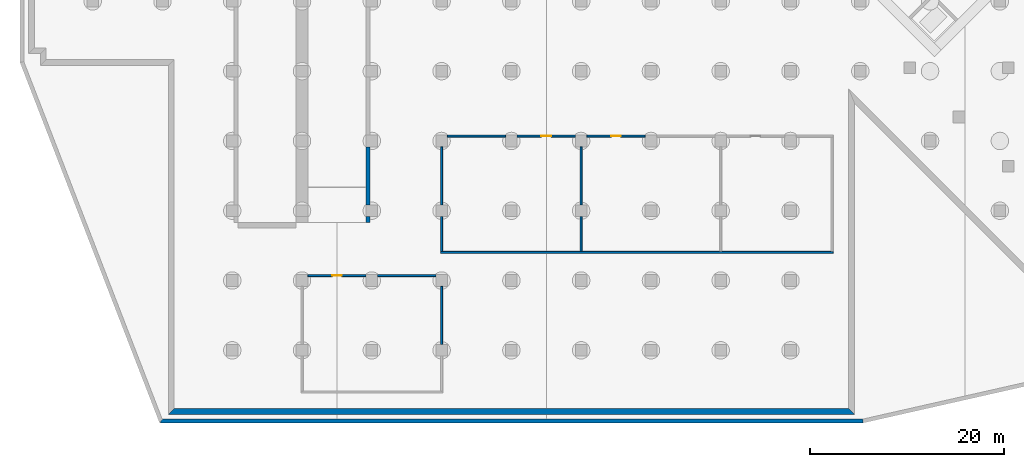
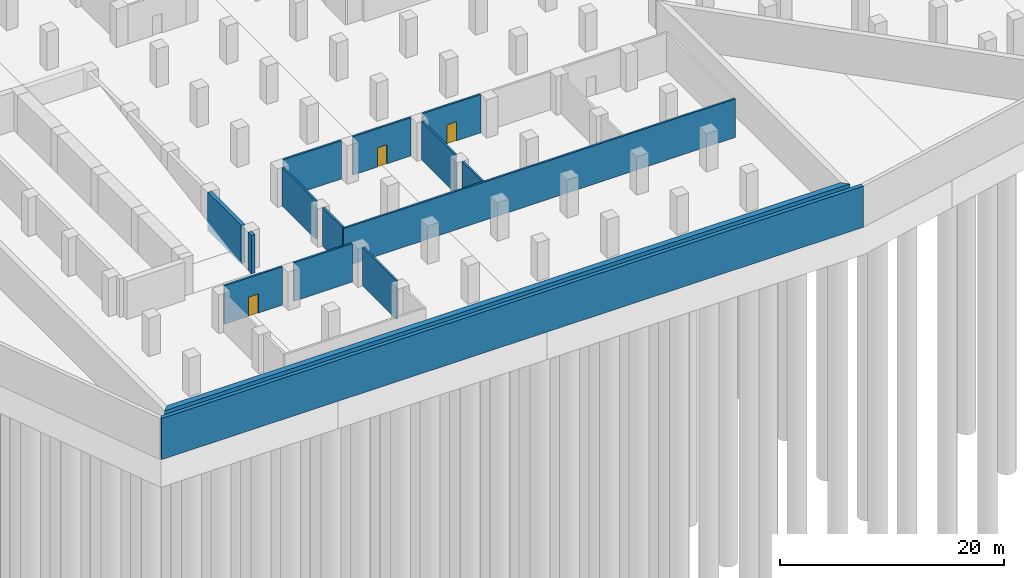
# One storey, part 3 of 12: 15 walls, 3 doors, 3 openings.
"""IFC4 building model written with IfcOpenShell, lengths in metres."""

from ifc_helpers import new_model, si_unit, direction, frame, frame_2d, origin, place, context, subcontext, project, spatial, polyline, rectangle, outline, extrude, material, layer, layer_set, type_object, element, fill, save


model = new_model("IFC4")

# Units and contexts
model_context = context("Model", 3, precision=1e-05, world=origin(), true_north=direction((0.0, 1.0)))
body_context = subcontext(model_context, "Body", "Model", "MODEL_VIEW")
ifc_project = project(units=[si_unit("LENGTHUNIT", "METRE"), si_unit("AREAUNIT", "SQUARE_METRE"), si_unit("VOLUMEUNIT", "CUBIC_METRE"), si_unit("PLANEANGLEUNIT", "RADIAN"), si_unit("MASSUNIT", "GRAM", prefix="KILO")], contexts=[model_context])

# Site, building, storey
site_placement = place(None, origin())
site = spatial("IfcSite", under=ifc_project, at=site_placement, CompositionType="ELEMENT")
building_placement = place(site_placement, origin())
building = spatial("IfcBuilding", under=site, at=building_placement, Name="Windrow Commons", CompositionType="ELEMENT")
storey_placement = place(building_placement, frame((0.0, 0.0, -9.0)))
storey = spatial("IfcBuildingStorey", under=building, at=storey_placement, Name="B2", CompositionType="ELEMENT", Elevation=-9.0)

# Walls
ifc_material_1 = material(Name="Blockwork partition", Category="masonry")
ifc_layer_1 = layer(ifc_material_1, 0.2)
ifc_layer_set_1 = layer_set([ifc_layer_1], Name="CP-PART-200")
wall_type_1 = type_object("IfcWallType", Name="CP-PART-200", PredefinedType="PARTITIONING", material=ifc_layer_set_1)
wall_1_placement = place(storey_placement, frame((36.0, 7.8, 0.0), z_axis=(0.0, 0.0, 1.0), x_axis=(0.0, 1.0, 0.0)))
element("IfcWall", 1, at=wall_1_placement, inside=storey, type_object=wall_type_1, Name="Plant room wall 04", PredefinedType="PARTITIONING", context=body_context, shape_type="SweptSolid", body=[
    extrude(rectangle(XDim=6.0, YDim=0.2, at=frame_2d((3.0, 0.0))), origin(), (0.0, 0.0, 1.0), 4.2),
])
wall_2_placement = place(storey_placement, frame((36.0, 17.4, 0.0), z_axis=(0.0, 0.0, 1.0), x_axis=(0.0, 1.0, 0.0)))
element("IfcWall", 2, at=wall_2_placement, inside=storey, type_object=wall_type_1, Name="Plant room wall 05", PredefinedType="PARTITIONING", context=body_context, shape_type="SweptSolid", body=[
    extrude(rectangle(XDim=3.6, YDim=0.2, at=frame_2d((1.8, 0.0))), origin(), (0.0, 0.0, 1.0), 4.2),
])
wall_3_placement = place(storey_placement, frame((36.0, 22.2, 0.0), z_axis=(0.0, 0.0, 1.0), x_axis=(0.0, 1.0, 0.0)))
element("IfcWall", 3, at=wall_3_placement, inside=storey, type_object=wall_type_1, Name="Plant room wall 06", PredefinedType="PARTITIONING", context=body_context, shape_type="SweptSolid", body=[
    extrude(rectangle(XDim=6.0, YDim=0.2, at=frame_2d((3.0, 0.0))), origin(), (0.0, 0.0, 1.0), 4.2),
])
wall_4_placement = place(storey_placement, frame((50.4, 17.4, 0.0), z_axis=(0.0, 0.0, 1.0), x_axis=(0.0, 1.0, 0.0)))
element("IfcWall", 4, at=wall_4_placement, inside=storey, type_object=wall_type_1, Name="Plant room wall 10", PredefinedType="PARTITIONING", context=body_context, shape_type="SweptSolid", body=[
    extrude(rectangle(XDim=3.6, YDim=0.2, at=frame_2d((1.8, 0.0))), origin(), (0.0, 0.0, 1.0), 4.2),
])
wall_5_placement = place(storey_placement, frame((50.4, 22.2, 0.0), z_axis=(0.0, 0.0, 1.0), x_axis=(0.0, 1.0, 0.0)))
element("IfcWall", 5, at=wall_5_placement, inside=storey, type_object=wall_type_1, Name="Plant room wall 11", PredefinedType="PARTITIONING", context=body_context, shape_type="SweptSolid", body=[
    extrude(rectangle(XDim=6.0, YDim=0.2, at=frame_2d((3.0, 0.0))), origin(), (0.0, 0.0, 1.0), 4.2),
])

# Wall, opening, door
wall_6_placement = place(storey_placement, frame((22.2, 14.9, 0.0), z_axis=(0.0, 0.0, 1.0), x_axis=(1.0, 0.0, 0.0)))
wall_6 = element("IfcWall", 6, at=wall_6_placement, inside=storey, type_object=wall_type_1, Name="Plant room wall 17", PredefinedType="PARTITIONING", context=body_context, shape_type="SweptSolid", body=[
    extrude(rectangle(XDim=6.0, YDim=0.2, at=frame_2d((3.0, 0.0))), origin(), (0.0, 0.0, 1.0), 4.2),
])
opening_1_placement = place(wall_6_placement, frame((2.5, 0.0, 0.0)))
opening_1 = element("IfcOpeningElement", 7, at=opening_1_placement, cuts=wall_6, Name="Opening B2-D51", PredefinedType="OPENING", context=body_context, shape_type="SweptSolid", body=[
    extrude(rectangle(XDim=1.0, YDim=2.1, at=frame_2d((0.5, 1.05))), frame((0.0, 0.11, 0.0), z_axis=(0.0, -1.0, 0.0), x_axis=(1.0, 0.0, 0.0)), (0.0, 0.0, 1.0), 0.22),
])
ifc_material_2 = material(Name="Steel fire door leaf", Category="steel")
door_type = type_object("IfcDoorType", Name="CP-DOOR-1000", OperationType="SINGLE_SWING_LEFT", PredefinedType="DOOR", material=ifc_material_2)
door_1_placement = place(opening_1_placement, origin())
door_1 = element("IfcDoor", 8, at=door_1_placement, inside=storey, type_object=door_type, Name="D-B2-PLANT-01", OperationType="SINGLE_SWING_RIGHT", OverallHeight=2.1, OverallWidth=1.0, PredefinedType="DOOR", context=body_context, shape_type="SweptSolid", body=[
    extrude(rectangle(XDim=1.0, YDim=2.1, at=frame_2d((0.5, 1.05))), frame((0.0, 0.025, 0.0), z_axis=(0.0, -1.0, 0.0), x_axis=(1.0, 0.0, 0.0)), (0.0, 0.0, 1.0), 0.05),
])
fill(opening_1, door_1)

# Walls
wall_7_placement = place(storey_placement, frame((29.4, 14.9, 0.0), z_axis=(0.0, 0.0, 1.0), x_axis=(1.0, 0.0, 0.0)))
element("IfcWall", 9, at=wall_7_placement, inside=storey, type_object=wall_type_1, Name="Plant room wall 18", PredefinedType="PARTITIONING", context=body_context, shape_type="SweptSolid", body=[
    extrude(rectangle(XDim=6.0, YDim=0.2, at=frame_2d((3.0, 0.0))), origin(), (0.0, 0.0, 1.0), 4.2),
])
wall_8_placement = place(storey_placement, frame((35.9, 17.3, 0.0), z_axis=(0.0, 0.0, 1.0), x_axis=(1.0, 0.0, 0.0)))
element("IfcWall", 10, at=wall_8_placement, inside=storey, type_object=wall_type_1, Name="Plant room wall 19", PredefinedType="PARTITIONING", context=body_context, shape_type="SweptSolid", body=[
    extrude(rectangle(XDim=40.5, YDim=0.2, at=frame_2d((20.25, 0.0))), origin(), (0.0, 0.0, 1.0), 4.2),
])
wall_9_placement = place(storey_placement, frame((36.6, 29.3, 0.0), z_axis=(0.0, 0.0, 1.0), x_axis=(1.0, 0.0, 0.0)))
element("IfcWall", 11, at=wall_9_placement, inside=storey, type_object=wall_type_1, Name="Plant room wall 20", PredefinedType="PARTITIONING", context=body_context, shape_type="SweptSolid", body=[
    extrude(rectangle(XDim=6.0, YDim=0.2, at=frame_2d((3.0, 0.0))), origin(), (0.0, 0.0, 1.0), 4.2),
])

# Wall, opening, door
wall_10_placement = place(storey_placement, frame((43.8, 29.3, 0.0), z_axis=(0.0, 0.0, 1.0), x_axis=(1.0, 0.0, 0.0)))
wall_10 = element("IfcWall", 12, at=wall_10_placement, inside=storey, type_object=wall_type_1, Name="Plant room wall 21", PredefinedType="PARTITIONING", context=body_context, shape_type="SweptSolid", body=[
    extrude(rectangle(XDim=6.0, YDim=0.2, at=frame_2d((3.0, 0.0))), origin(), (0.0, 0.0, 1.0), 4.2),
])
opening_2_placement = place(wall_10_placement, frame((2.5, 0.0, 0.0)))
opening_2 = element("IfcOpeningElement", 13, at=opening_2_placement, cuts=wall_10, Name="Opening B2-D52", PredefinedType="OPENING", context=body_context, shape_type="SweptSolid", body=[
    extrude(rectangle(XDim=1.0, YDim=2.1, at=frame_2d((0.5, 1.05))), frame((0.0, 0.11, 0.0), z_axis=(0.0, -1.0, 0.0), x_axis=(1.0, 0.0, 0.0)), (0.0, 0.0, 1.0), 0.22),
])
door_2_placement = place(opening_2_placement, origin())
door_2 = element("IfcDoor", 14, at=door_2_placement, inside=storey, type_object=door_type, Name="D-B2-PLANT-02", OperationType="SINGLE_SWING_LEFT", OverallHeight=2.1, OverallWidth=1.0, PredefinedType="DOOR", context=body_context, shape_type="SweptSolid", body=[
    extrude(rectangle(XDim=1.0, YDim=2.1, at=frame_2d((0.5, 1.05))), frame((0.0, 0.025, 0.0), z_axis=(0.0, -1.0, 0.0), x_axis=(1.0, 0.0, 0.0)), (0.0, 0.0, 1.0), 0.05),
])
fill(opening_2, door_2)

wall_11_placement = place(storey_placement, frame((51.0, 29.3, 0.0), z_axis=(0.0, 0.0, 1.0), x_axis=(1.0, 0.0, 0.0)))
wall_11 = element("IfcWall", 15, at=wall_11_placement, inside=storey, type_object=wall_type_1, Name="Plant room wall 22", PredefinedType="PARTITIONING", context=body_context, shape_type="SweptSolid", body=[
    extrude(rectangle(XDim=6.0, YDim=0.2, at=frame_2d((3.0, 0.0))), origin(), (0.0, 0.0, 1.0), 4.2),
])
opening_3_placement = place(wall_11_placement, frame((2.5, 0.0, 0.0)))
opening_3 = element("IfcOpeningElement", 16, at=opening_3_placement, cuts=wall_11, Name="Opening B2-D53", PredefinedType="OPENING", context=body_context, shape_type="SweptSolid", body=[
    extrude(rectangle(XDim=1.0, YDim=2.1, at=frame_2d((0.5, 1.05))), frame((0.0, 0.11, 0.0), z_axis=(0.0, -1.0, 0.0), x_axis=(1.0, 0.0, 0.0)), (0.0, 0.0, 1.0), 0.22),
])
door_3_placement = place(opening_3_placement, origin())
door_3 = element("IfcDoor", 17, at=door_3_placement, inside=storey, type_object=door_type, Name="D-B2-PLANT-03", OperationType="SINGLE_SWING_RIGHT", OverallHeight=2.1, OverallWidth=1.0, PredefinedType="DOOR", context=body_context, shape_type="SweptSolid", body=[
    extrude(rectangle(XDim=1.0, YDim=2.1, at=frame_2d((0.5, 1.05))), frame((0.0, 0.025, 0.0), z_axis=(0.0, -1.0, 0.0), x_axis=(1.0, 0.0, 0.0)), (0.0, 0.0, 1.0), 0.05),
])
fill(opening_3, door_3)

# Walls
ifc_material_3 = material(Name="Concrete C40/50", Category="concrete")
ifc_layer_2 = layer(ifc_material_3, 0.4)
ifc_layer_set_2 = layer_set([ifc_layer_2], Name="CP-WALL-400")
wall_type_2 = type_object("IfcWallType", Name="CP-WALL-400", PredefinedType="SOLIDWALL", material=ifc_layer_set_2)
wall_12_placement = place(storey_placement, frame((28.4, 20.4, 0.0), z_axis=(0.0, 0.0, 1.0), x_axis=(0.0, 1.0, 0.0)))
element("IfcWall", 18, at=wall_12_placement, inside=storey, type_object=wall_type_2, Name="Ramp wall E1 B2", PredefinedType="SOLIDWALL", context=body_context, shape_type="SweptSolid", body=[
    extrude(rectangle(XDim=0.6, YDim=0.4, at=frame_2d((0.3, 0.0))), origin(), (0.0, 0.0, 1.0), 4.2),
])
wall_13_placement = place(storey_placement, frame((28.4, 22.2, 0.0), z_axis=(0.0, 0.0, 1.0), x_axis=(0.0, 1.0, 0.0)))
element("IfcWall", 19, at=wall_13_placement, inside=storey, type_object=wall_type_2, Name="Ramp wall E2 B2", PredefinedType="SOLIDWALL", context=body_context, shape_type="SweptSolid", body=[
    extrude(rectangle(XDim=6.0, YDim=0.4, at=frame_2d((3.0, 0.0))), origin(), (0.0, 0.0, 1.0), 4.2),
])
ifc_material_4 = material(Name="Concrete C40/50", Category="concrete")
ifc_layer_3 = layer(ifc_material_4, 0.4)
ifc_layer_set_3 = layer_set([ifc_layer_3], Name="RC RETAINING WALL 400 C40/50")
wall_type_3 = type_object("IfcWallType", Name="RC RETAINING WALL 400 C40/50", PredefinedType="SOLIDWALL", material=ifc_layer_set_3)
wall_14_placement = place(storey_placement, frame((79.4777, -0.1, -0.3), z_axis=(0.0, 0.0, 1.0), x_axis=(-1.0, 0.0, 0.0)))
element("IfcWall", 20, at=wall_14_placement, inside=storey, type_object=wall_type_3, Name="Retaining wall raft edge B2-001", PredefinedType="SOLIDWALL", context=body_context, shape_type="SweptSolid", body=[
    extrude(outline(polyline([(0.0112, -0.2), (72.3721, -0.2), (72.5091, 0.2), (-0.0112, 0.2), (0.0112, -0.2)])), origin(), (0.0, 0.0, 1.0), 4.5),
])
ifc_material_5 = material(Name="Concrete C40/50", Category="concrete")
ifc_layer_4 = layer(ifc_material_5, 0.6)
ifc_layer_set_4 = layer_set([ifc_layer_4], Name="RC RETAINING WALL 600 C40/50")
wall_type_4 = type_object("IfcWallType", Name="RC RETAINING WALL 600 C40/50", PredefinedType="SOLIDWALL", material=ifc_layer_set_4)
wall_15_placement = place(storey_placement, frame((0.0, 0.0, -0.3)))
element("IfcWall", 21, at=wall_15_placement, inside=storey, type_object=wall_type_4, Name="Retaining wall B2-03", PredefinedType="SOLIDWALL", context=body_context, shape_type="SweptSolid", body=[
    extrude(outline(polyline([(8.4, 1.2), (78.0, 1.2), (78.6, 0.6), (7.8, 0.6), (8.4, 1.2)])), origin(), (0.0, 0.0, 1.0), 4.5),
])

save(model, "model.ifc")
